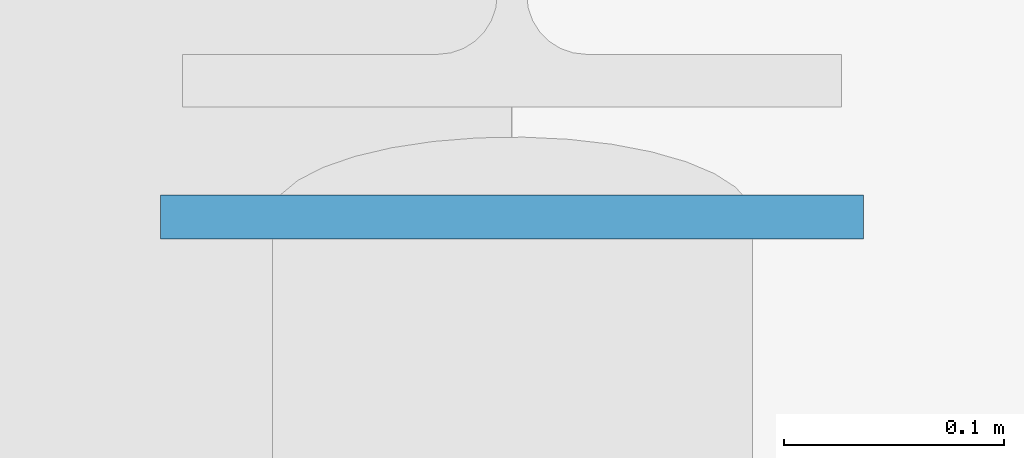
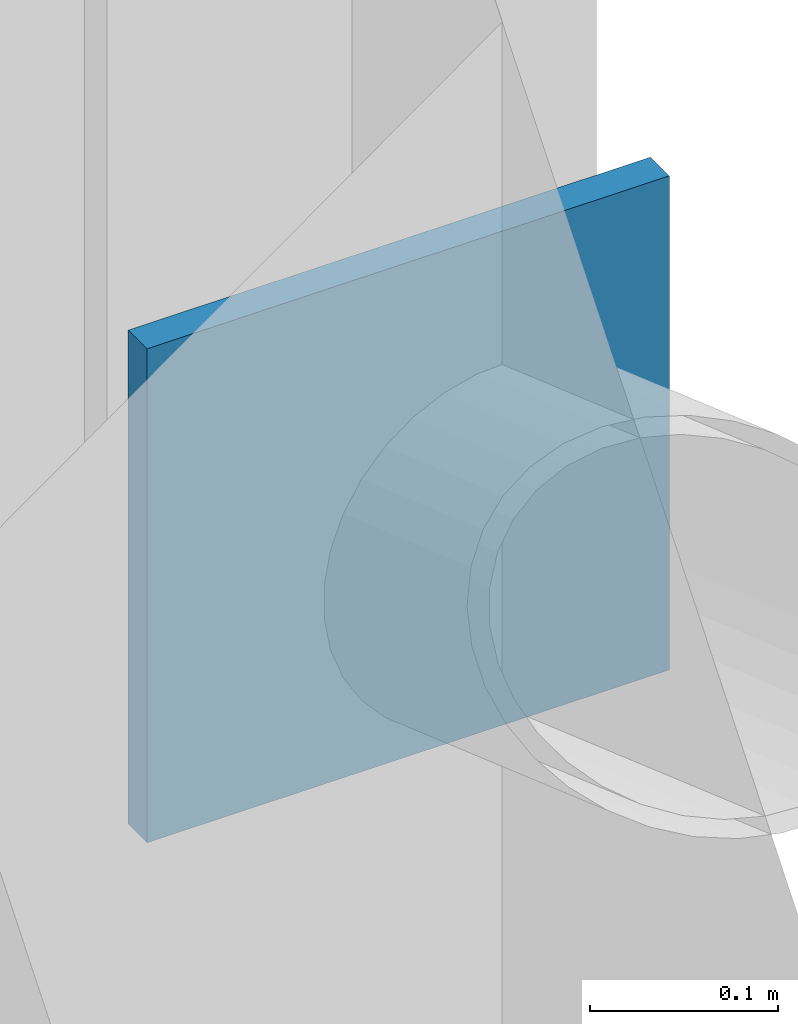
# One storey, part 24 of 27: 1 plate.
"""IFC4 building model written with IfcOpenShell, lengths in metres."""

from ifc_helpers import new_model, si_unit, direction, frame, origin, origin_2d, place, context, subcontext, project, spatial, rectangle, extrude, material, layer, layer_set, type_object, element, save


model = new_model("IFC4")

# Units and contexts
model_context = context("Model", 3, precision=1e-05, world=origin(), true_north=direction((0.0, 1.0)))
body_context = subcontext(model_context, "Body", "Model", "MODEL_VIEW")
ifc_project = project(units=[si_unit("LENGTHUNIT", "METRE"), si_unit("AREAUNIT", "SQUARE_METRE"), si_unit("VOLUMEUNIT", "CUBIC_METRE"), si_unit("PLANEANGLEUNIT", "RADIAN"), si_unit("MASSUNIT", "GRAM", prefix="KILO")], contexts=[model_context])

# Site, building, storey
site_placement = place(None, origin())
site = spatial("IfcSite", under=ifc_project, at=site_placement, CompositionType="ELEMENT")
building_placement = place(site_placement, origin())
building = spatial("IfcBuilding", under=site, at=building_placement, Name="Tazoul Stagehouse", CompositionType="ELEMENT")
storey_placement = place(building_placement, frame((0.0, 0.0, 24.89990234375)))
storey = spatial("IfcBuildingStorey", under=building, at=storey_placement, Name="RF", CompositionType="ELEMENT", Elevation=24.89990234375)

# Plate
ifc_material = material(Name="Steel S355", Category="steel")
ifc_layer = layer(ifc_material, 0.02001953125, Name="Steel S355")
ifc_layer_set = layer_set([ifc_layer], Name="Steel S355")
plate_type = type_object("IfcPlateType", Name="Steel Brace End-Cap Plate 320x320x20 (Exterior)", PredefinedType="USERDEFINED", material=ifc_layer_set)
plate_placement = place(storey_placement, frame((102.60009765625, 111.550048828125, -0.0400390625), z_axis=(0.0, 0.0, 1.0), x_axis=(0.0, -1.0, 0.0)))
element("IfcPlate", 1, at=plate_placement, inside=storey, type_object=plate_type, Name="RF Gusset End-Cap Plate GP-01E (BR-FT-RF-E2-1)", ObjectType="GUSSET PLATE", PredefinedType="USERDEFINED", context=body_context, shape_type="SweptSolid", body=[
    extrude(rectangle(XDim=0.02001953125, YDim=0.320068359375, at=origin_2d()), origin(), (0.0, 0.0, 1.0), 0.320068359375),
])

save(model, "model.ifc")
